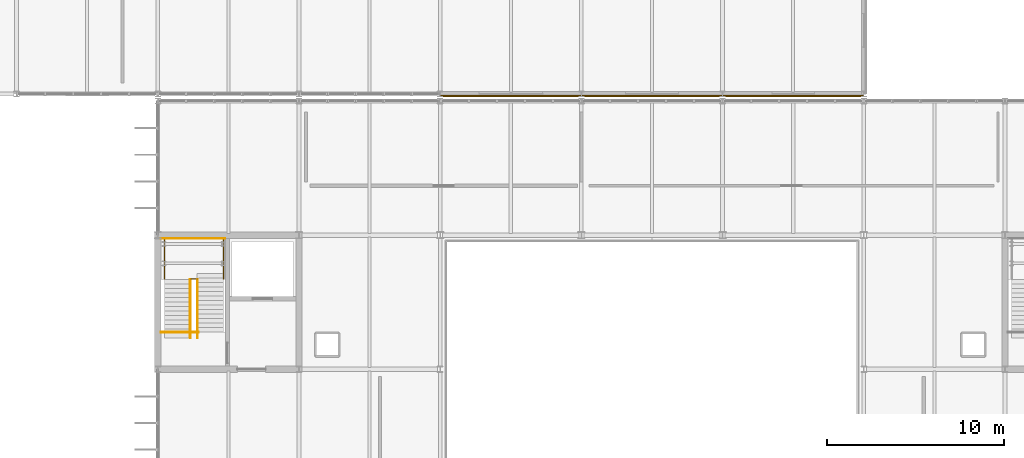
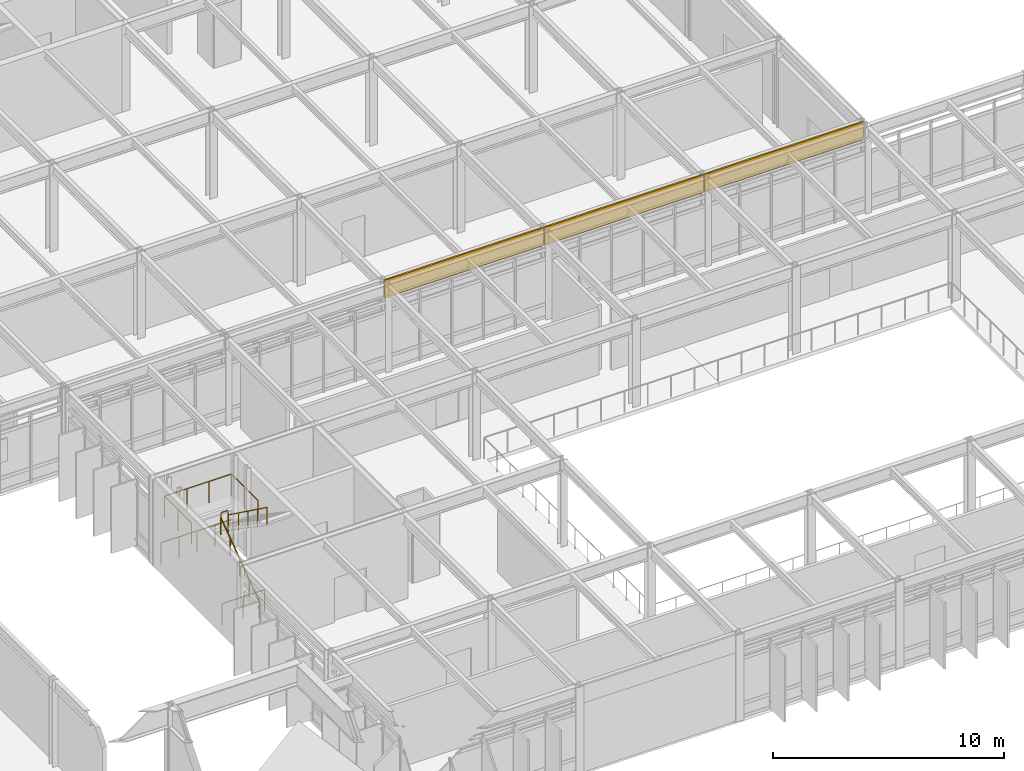
# One storey, part 100 of 104: 6 railings, 3 coverings.
"""IFC4 building model written with IfcOpenShell, lengths in metres."""

from ifc_helpers import new_model, si_unit, direction, frame, origin, origin_2d, place, context, subcontext, project, spatial, rectangle, circle, extrude, material, layer, layer_set, type_object, element, save


model = new_model("IFC4")

# Units and contexts
model_context = context("Model", 3, precision=1e-05, world=origin(), true_north=direction((0.0, 1.0)))
body_context = subcontext(model_context, "Body", "Model", "MODEL_VIEW")
ifc_project = project(units=[si_unit("LENGTHUNIT", "METRE"), si_unit("AREAUNIT", "SQUARE_METRE"), si_unit("VOLUMEUNIT", "CUBIC_METRE"), si_unit("PLANEANGLEUNIT", "RADIAN"), si_unit("MASSUNIT", "GRAM", prefix="KILO")], contexts=[model_context])

# Site, building, storey
site_placement = place(None, origin())
site = spatial("IfcSite", under=ifc_project, at=site_placement, CompositionType="ELEMENT")
building_placement = place(site_placement, origin())
building = spatial("IfcBuilding", under=site, at=building_placement, Name="Zulena Civic Courthouse", CompositionType="ELEMENT")
storey_placement = place(building_placement, frame((0.0, 0.0, 10.800048828125)))
storey = spatial("IfcBuildingStorey", under=building, at=storey_placement, Name="L02", CompositionType="ELEMENT", Elevation=10.800048828125)

# Railings
ifc_material_1 = material(Name="Brushed architectural steel ASTM A36", Category="steel")
railing_type_1 = type_object("IfcRailingType", Name="InteriorGuardrail_1150", PredefinedType="GUARDRAIL", material=ifc_material_1)
railing_1_placement = place(storey_placement, frame((68.199951171875, 37.81005859375, 0.0)))
element("IfcRailing", 1, at=railing_1_placement, inside=storey, type_object=railing_type_1, Name="gr:wellN:K4A:L01", PredefinedType="GUARDRAIL", context=body_context, shape_type="SweptSolid", body=[
    extrude(circle(Radius=0.02392578125, at=origin_2d()), frame((0.00390625, 0.0, 1.1259765625), z_axis=(1.0, 0.0, 0.0), x_axis=(0.0, 1.0, 0.0)), (0.0, 0.0, 1.0), 3.592041015625),
    extrude(circle(Radius=0.02099609375, at=origin_2d()), origin(), (0.0, 0.0, 1.0), 1.097900390625),
    extrude(circle(Radius=0.02099609375, at=origin_2d()), frame((0.89990234375, 0.0, 0.0)), (0.0, 0.0, 1.0), 1.097900390625),
    extrude(circle(Radius=0.02099609375, at=origin_2d()), frame((1.800048828125, 0.0, 0.0)), (0.0, 0.0, 1.0), 1.097900390625),
    extrude(circle(Radius=0.02099609375, at=origin_2d()), frame((2.7001953125, 0.0, 0.0)), (0.0, 0.0, 1.0), 1.097900390625),
    extrude(circle(Radius=0.02099609375, at=origin_2d()), frame((3.60009765625, 0.0, 0.0)), (0.0, 0.0, 1.0), 1.097900390625),
])
railing_2_placement = place(storey_placement, frame((68.179931640625, 32.5, 0.0)))
element("IfcRailing", 2, at=railing_2_placement, inside=storey, type_object=railing_type_1, Name="gr:wells:K4A:L02", PredefinedType="GUARDRAIL", context=body_context, shape_type="SweptSolid", body=[
    extrude(circle(Radius=0.02392578125, at=origin_2d()), frame((0.00390625, 0.0, 1.1259765625), z_axis=(1.0, 0.0, 0.0), x_axis=(0.0, 1.0, 0.0)), (0.0, 0.0, 1.0), 2.112060546875),
    extrude(circle(Radius=0.02099609375, at=origin_2d()), origin(), (0.0, 0.0, 1.0), 1.097900390625),
    extrude(circle(Radius=0.02099609375, at=origin_2d()), frame((1.06005859375, 0.0, 0.0)), (0.0, 0.0, 1.0), 1.097900390625),
    extrude(circle(Radius=0.02099609375, at=origin_2d()), frame((2.1201171875, 0.0, 0.0)), (0.0, 0.0, 1.0), 1.097900390625),
])
railing_3_placement = place(storey_placement, frame((68.3798828125, 35.49462890625, 2.39990234375)))
element("IfcRailing", 3, at=railing_3_placement, inside=storey, type_object=railing_type_1, Name="gr:lnd:K4A:L02", PredefinedType="GUARDRAIL", context=body_context, shape_type="SweptSolid", body=[
    extrude(circle(Radius=0.02392578125, at=origin_2d()), frame((0.0, 0.00390625, 1.1259765625), z_axis=(0.0, 1.0, 0.0), x_axis=(-1.0, 0.0, 0.0)), (0.0, 0.0, 1.0), 2.3173828125),
    extrude(circle(Radius=0.02392578125, at=origin_2d()), frame((0.00390625, 2.325439453125, 1.1259765625), z_axis=(1.0, 0.0, 0.0), x_axis=(0.0, 1.0, 0.0)), (0.0, 0.0, 1.0), 3.33203125),
    extrude(circle(Radius=0.02392578125, at=origin_2d()), frame((3.340087890625, 2.321533203125, 1.1259765625), z_axis=(0.0, -1.0, 0.0), x_axis=(1.0, 0.0, 0.0)), (0.0, 0.0, 1.0), 2.3173828125),
    extrude(circle(Radius=0.02099609375, at=origin_2d()), origin(), (0.0, 0.0, 1.0), 1.097900390625),
    extrude(circle(Radius=0.02099609375, at=origin_2d()), frame((0.0, 1.16259765625, 0.0)), (0.0, 0.0, 1.0), 1.097900390625),
    extrude(circle(Radius=0.02099609375, at=origin_2d()), frame((0.0, 2.325439453125, 0.0)), (0.0, 0.0, 1.0), 1.097900390625),
    extrude(circle(Radius=0.02099609375, at=origin_2d()), frame((1.11328125, 2.325439453125, 0.0)), (0.0, 0.0, 1.0), 1.097900390625),
    extrude(circle(Radius=0.02099609375, at=origin_2d()), frame((2.226806640625, 2.325439453125, 0.0)), (0.0, 0.0, 1.0), 1.097900390625),
    extrude(circle(Radius=0.02099609375, at=origin_2d()), frame((3.340087890625, 2.325439453125, 0.0)), (0.0, 0.0, 1.0), 1.097900390625),
    extrude(circle(Radius=0.02099609375, at=origin_2d()), frame((3.340087890625, 1.16259765625, 0.0)), (0.0, 0.0, 1.0), 1.097900390625),
    extrude(circle(Radius=0.02099609375, at=origin_2d()), frame((3.340087890625, 0.0, 0.0)), (0.0, 0.0, 1.0), 1.097900390625),
])
railing_4_placement = place(storey_placement, frame((69.8798828125, 35.514892578125, 2.39990234375)))
element("IfcRailing", 4, at=railing_4_placement, inside=storey, type_object=railing_type_1, Name="gr:lndslot:K4A:L02", PredefinedType="GUARDRAIL", context=body_context, shape_type="SweptSolid", body=[
    extrude(circle(Radius=0.02392578125, at=origin_2d()), frame((0.00390625, 0.0, 1.1259765625), z_axis=(1.0, 0.0, 0.0), x_axis=(0.0, 1.0, 0.0)), (0.0, 0.0, 1.0), 0.33203125),
    extrude(circle(Radius=0.02099609375, at=origin_2d()), origin(), (0.0, 0.0, 1.0), 1.097900390625),
    extrude(circle(Radius=0.02099609375, at=origin_2d()), frame((0.340087890625, 0.0, 0.0)), (0.0, 0.0, 1.0), 1.097900390625),
])

# Coverings
ifc_material_2 = material(Name="White architectural precast concrete C40/50", Category="concrete")
ifc_layer = layer(ifc_material_2, 0.0849609375)
ifc_layer_set = layer_set([ifc_layer], Name="White architectural precast concrete C40/50")
covering_type = type_object("IfcCoveringType", Name="PrecastSpandrelCladding_85", PredefinedType="CLADDING", material=ifc_layer_set)
for number, where, z_axis, x_axis, name in (
    (5, (104.0, 45.8798828125, 3.659912109375), (0.0, 0.0, 1.0), (-1.0, 0.0, 0.0), "clad:sp:V5:L02:5:0"),
    (6, (96.0, 45.8798828125, 3.659912109375), (0.0, 0.0, 1.0), (-1.0, 0.0, 0.0), "clad:sp:V5:L02:5:1"),
    (7, (88.0, 45.8798828125, 3.659912109375), (0.0, 0.0, 1.0), (-1.0, 0.0, 0.0), "clad:sp:V5:L02:5:2"),
):
    element("IfcCovering", number, at=place(storey_placement, frame(where, z_axis=z_axis, x_axis=x_axis)), inside=storey, type_object=covering_type, Name=name, PredefinedType="CLADDING", context=body_context, shape_type="SweptSolid", body=[
        extrude(rectangle(XDim=7.9599609375, YDim=0.0849609375, at=origin_2d()), origin(), (0.0, 0.0, 1.0), 0.93994140625),
    ])

# Railings
railing_type_2 = type_object("IfcRailingType", Name="StairHandrail_920", PredefinedType="HANDRAIL", material=ifc_material_1)
railing_5_placement = place(storey_placement, frame((69.85009765625, 32.179931640625, 0.0)))
element("IfcRailing", 8, at=railing_5_placement, inside=storey, type_object=railing_type_2, Name="hr:K4A:L02:1", PredefinedType="HANDRAIL", context=body_context, shape_type="SweptSolid", body=[
    extrude(circle(Radius=0.02392578125, at=origin_2d()), frame((0.0, 0.003173828125, 0.898193359375), z_axis=(0.0, 0.80998804985, 0.586446382119), x_axis=(-1.0, 0.0, 0.0)), (0.0, 0.0, 1.0), 4.084228515625),
    extrude(circle(Radius=0.02099609375, at=origin_2d()), origin(), (0.0, 0.0, 1.0), 0.867919921875),
    extrude(circle(Radius=0.02099609375, at=origin_2d()), frame((0.0, 0.82861328125, 0.60009765625)), (0.0, 0.0, 1.0), 0.867919921875),
    extrude(circle(Radius=0.02099609375, at=origin_2d()), frame((0.0, 1.6572265625, 1.199951171875)), (0.0, 0.0, 1.0), 0.867919921875),
    extrude(circle(Radius=0.02099609375, at=origin_2d()), frame((0.0, 2.486083984375, 1.7998046875)), (0.0, 0.0, 1.0), 0.867919921875),
    extrude(circle(Radius=0.02099609375, at=origin_2d()), frame((0.0, 3.314697265625, 2.39990234375)), (0.0, 0.0, 1.0), 0.867919921875),
])
railing_6_placement = place(storey_placement, frame((70.25, 35.49462890625, 2.39990234375)))
element("IfcRailing", 9, at=railing_6_placement, inside=storey, type_object=railing_type_2, Name="hr:K4A:L02:2", PredefinedType="HANDRAIL", context=body_context, shape_type="SweptSolid", body=[
    extrude(circle(Radius=0.02392578125, at=origin_2d()), frame((0.0, -0.003173828125, 0.898193359375), z_axis=(0.0, -0.809959711079, 0.586485521074), x_axis=(1.0, 0.0, 0.0)), (0.0, 0.0, 1.0), 4.08447265625),
    extrude(circle(Radius=0.02099609375, at=origin_2d()), origin(), (0.0, 0.0, 1.0), 0.867919921875),
    extrude(circle(Radius=0.02099609375, at=origin_2d()), frame((0.0, -0.82861328125, 0.60009765625)), (0.0, 0.0, 1.0), 0.867919921875),
    extrude(circle(Radius=0.02099609375, at=origin_2d()), frame((0.0, -1.6572265625, 1.2001953125)), (0.0, 0.0, 1.0), 0.867919921875),
    extrude(circle(Radius=0.02099609375, at=origin_2d()), frame((0.0, -2.486083984375, 1.800048828125)), (0.0, 0.0, 1.0), 0.867919921875),
    extrude(circle(Radius=0.02099609375, at=origin_2d()), frame((0.0, -3.314697265625, 2.400146484375)), (0.0, 0.0, 1.0), 0.867919921875),
])

save(model, "model.ifc")
